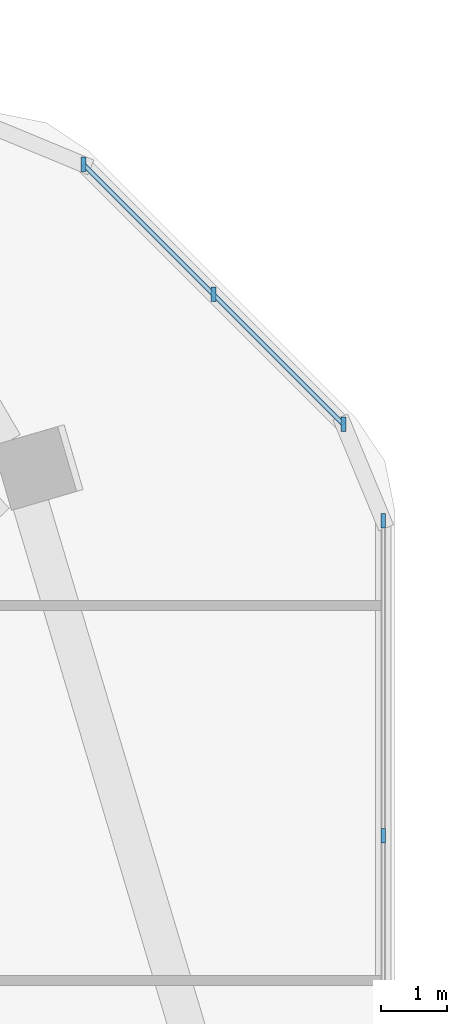
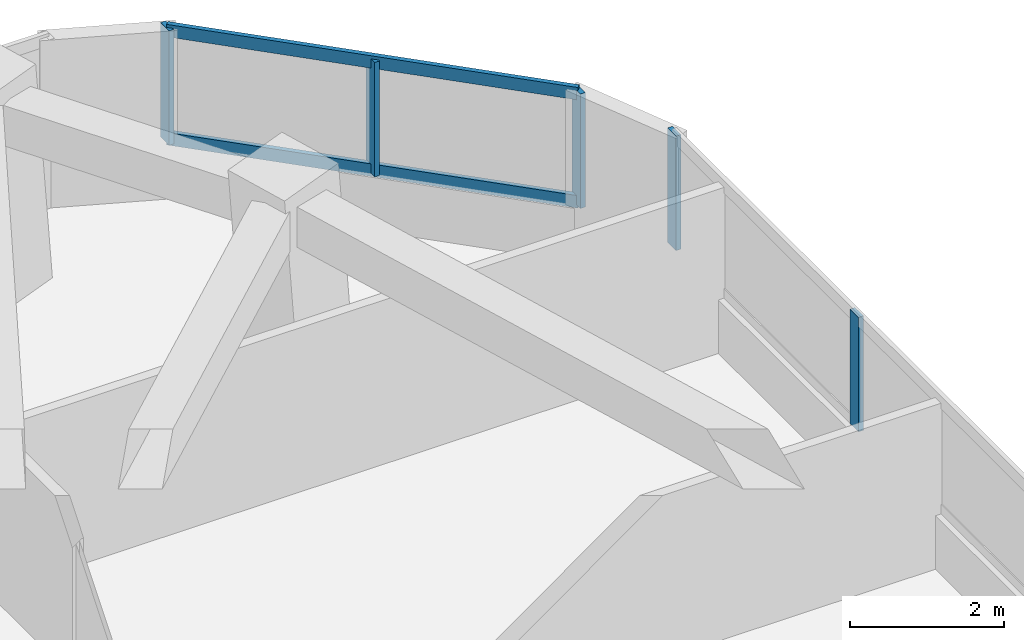
# One storey, part 8 of 14: 7 members, 2 elements without a shape of their own.
"""IFC4 building model written with IfcOpenShell, lengths in metres."""

from ifc_helpers import new_model, si_unit, derived_unit, direction, frame, origin, origin_2d, place, context, subcontext, project, spatial, rectangle, extrude, material, material_profile, profile_set, type_object, element, aggregate, save


model = new_model("IFC4")

# Units and contexts
model_context = context("Model", 3, precision=1e-05, world=origin(), true_north=direction((0.0, 1.0)))
body_context = subcontext(model_context, "Body", "Model", "MODEL_VIEW")
ifc_project = project(units=[si_unit("LENGTHUNIT", "METRE"), si_unit("AREAUNIT", "SQUARE_METRE"), si_unit("VOLUMEUNIT", "CUBIC_METRE"), si_unit("PLANEANGLEUNIT", "RADIAN"), si_unit("MASSUNIT", "GRAM", prefix="KILO"), derived_unit("THERMALTRANSMITTANCEUNIT", [(si_unit("POWERUNIT", "WATT"), 1), (si_unit("LENGTHUNIT", "METRE"), -2), (si_unit("THERMODYNAMICTEMPERATUREUNIT", "KELVIN"), -1)])], contexts=[model_context])

# Site, building, storey
site_placement = place(None, origin())
site = spatial("IfcSite", under=ifc_project, at=site_placement, CompositionType="ELEMENT")
building_placement = place(site_placement, origin())
building = spatial("IfcBuilding", under=site, at=building_placement, Name="Koralith Skygarden Medical Center", CompositionType="ELEMENT")
storey_placement = place(building_placement, frame((0.0, 0.0, 106.3798828125)))
storey = spatial("IfcBuildingStorey", under=building, at=storey_placement, Name="L27", CompositionType="ELEMENT", Elevation=106.3798828125)

# Curtain wall, members
ifc_material_1 = material(Name="Clear Laminated Glass", Category="glass")
curtain_wall_type = type_object("IfcCurtainWallType", Name="CW-3 Zone 2 Faceted Solar Curtain Wall", PredefinedType="NOTDEFINED", material=ifc_material_1)
curtain_wall_1_placement = place(storey_placement, origin())
curtain_wall_1 = element("IfcCurtainWall", 1, at=curtain_wall_1_placement, inside=storey, type_object=curtain_wall_type, Name="Curtain Wall CW-L27-E-R", PredefinedType="NOTDEFINED")
ifc_material_2 = material(Name="Aluminium 6063-T6", Category="aluminium")
ifc_material_profile_1 = material_profile(ifc_material_2, rectangle(XDim=0.073974609375, YDim=0.219970703125, at=origin_2d()), Name="MUL74X220")
ifc_profile_set_1 = profile_set([ifc_material_profile_1], Name="Aluminium 6063-T6")
member_type_1 = type_object("IfcMemberType", Name="CW-3 Extruded Mullion 74x220", PredefinedType="MULLION", material=ifc_profile_set_1)
member_1_placement = place(storey_placement, frame((62.208984375, 36.947998046875, 0.85009765625), z_axis=(0.0, 0.0, 1.0), x_axis=(1.0, 0.0, 0.0)))
member_1 = element("IfcMember", 2, at=member_1_placement, type_object=member_type_1, Name="CW-L27-E-R Mullion 3", PredefinedType="MULLION", context=body_context, shape_type="SweptSolid", body=[
    extrude(rectangle(XDim=0.073974609375, YDim=0.219970703125, at=origin_2d()), origin(), (0.0, 0.0, 1.0), 1.820068359375),
])
member_2_placement = place(storey_placement, frame((62.208984375, 41.701904296875, 0.85009765625), z_axis=(0.0, 0.0, 1.0), x_axis=(1.0, 0.0, 0.0)))
member_2 = element("IfcMember", 3, at=member_2_placement, type_object=member_type_1, Name="CW-L27-E-R Mullion 4", PredefinedType="MULLION", context=body_context, shape_type="SweptSolid", body=[
    extrude(rectangle(XDim=0.073974609375, YDim=0.219970703125, at=origin_2d()), origin(), (0.0, 0.0, 1.0), 1.820068359375),
])
aggregate(curtain_wall_1, [member_1, member_2])

curtain_wall_2_placement = place(storey_placement, origin())
curtain_wall_2 = element("IfcCurtainWall", 4, at=curtain_wall_2_placement, inside=storey, type_object=curtain_wall_type, Name="Curtain Wall CW-L27-NE", PredefinedType="NOTDEFINED")
member_3_placement = place(storey_placement, frame((61.60693359375, 43.153076171875, 0.85009765625), z_axis=(0.0, 0.0, 1.0), x_axis=(1.0, 0.0, 0.0)))
member_3 = element("IfcMember", 5, at=member_3_placement, type_object=member_type_1, Name="CW-L27-NE Mullion 1", PredefinedType="MULLION", context=body_context, shape_type="SweptSolid", body=[
    extrude(rectangle(XDim=0.073974609375, YDim=0.219970703125, at=origin_2d()), origin(), (0.0, 0.0, 1.0), 1.820068359375),
])
member_4_placement = place(storey_placement, frame((59.64501953125, 45.114013671875, 0.85009765625), z_axis=(0.0, 0.0, 1.0), x_axis=(1.0, 0.0, 0.0)))
member_4 = element("IfcMember", 6, at=member_4_placement, type_object=member_type_1, Name="CW-L27-NE Mullion 2", PredefinedType="MULLION", context=body_context, shape_type="SweptSolid", body=[
    extrude(rectangle(XDim=0.073974609375, YDim=0.219970703125, at=origin_2d()), origin(), (0.0, 0.0, 1.0), 1.820068359375),
])
member_5_placement = place(storey_placement, frame((57.68408203125, 47.075927734375, 0.85009765625), z_axis=(0.0, 0.0, 1.0), x_axis=(1.0, 0.0, 0.0)))
member_5 = element("IfcMember", 7, at=member_5_placement, type_object=member_type_1, Name="CW-L27-NE Mullion 3", PredefinedType="MULLION", context=body_context, shape_type="SweptSolid", body=[
    extrude(rectangle(XDim=0.073974609375, YDim=0.219970703125, at=origin_2d()), origin(), (0.0, 0.0, 1.0), 1.820068359375),
])
ifc_material_profile_2 = material_profile(ifc_material_2, rectangle(XDim=0.069091796875, YDim=0.197998046875, at=origin_2d()), Name="TRN69X198")
ifc_profile_set_2 = profile_set([ifc_material_profile_2], Name="Aluminium 6063-T6")
member_type_2 = type_object("IfcMemberType", Name="CW-3 Thermal Transom 69x198", PredefinedType="USERDEFINED", material=ifc_profile_set_2)
member_6_placement = place(storey_placement, frame((61.60693359375, 43.153076171875, 0.900146484375), z_axis=(-0.707106781187, 0.707106781187, 0.0), x_axis=(-0.707106781187, -0.707106781187, 0.0)))
member_6 = element("IfcMember", 8, at=member_6_placement, type_object=member_type_2, Name="CW-L27-NE Transom 1", ObjectType="TRANSOM", PredefinedType="USERDEFINED", context=body_context, shape_type="SweptSolid", body=[
    extrude(rectangle(XDim=0.069091796875, YDim=0.197998046875, at=origin_2d()), origin(), (0.0, 0.0, 1.0), 5.5478515625),
])
member_7_placement = place(storey_placement, frame((61.60693359375, 43.153076171875, 2.6201171875), z_axis=(-0.707106781187, 0.707106781187, 0.0), x_axis=(-0.707106781187, -0.707106781187, 0.0)))
member_7 = element("IfcMember", 9, at=member_7_placement, type_object=member_type_2, Name="CW-L27-NE Transom 2", ObjectType="TRANSOM", PredefinedType="USERDEFINED", context=body_context, shape_type="SweptSolid", body=[
    extrude(rectangle(XDim=0.069091796875, YDim=0.197998046875, at=origin_2d()), origin(), (0.0, 0.0, 1.0), 5.5478515625),
])
aggregate(curtain_wall_2, [member_3, member_4, member_5, member_6, member_7])

save(model, "model.ifc")
